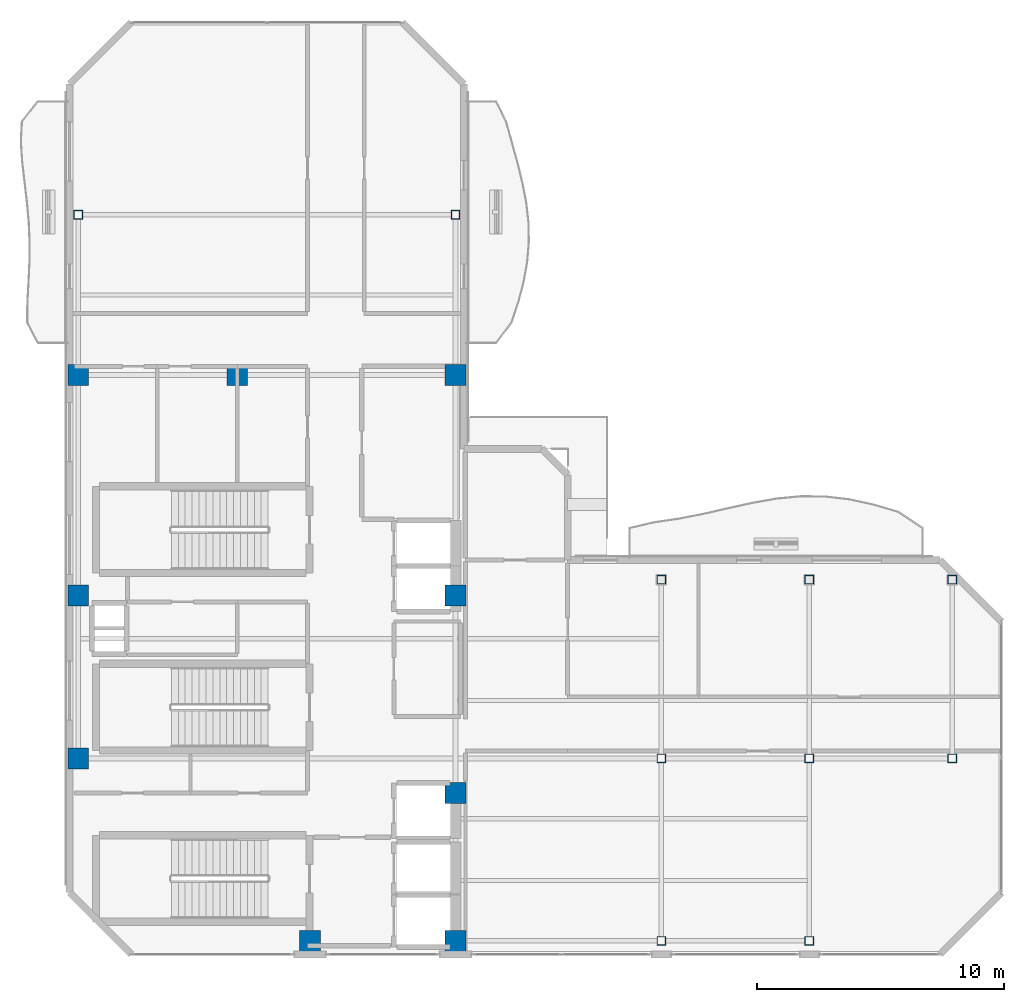
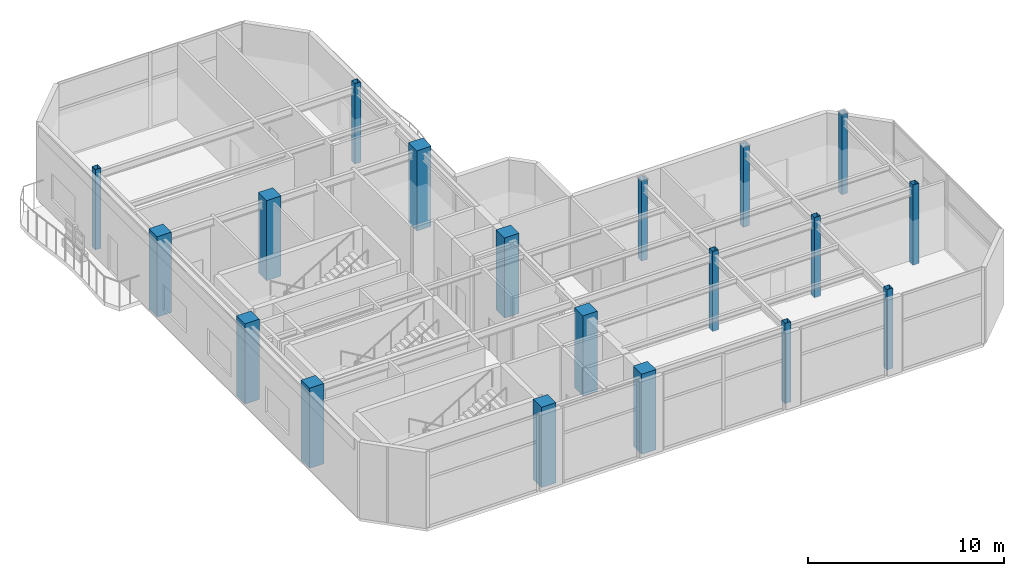
# One storey, part 1 of 16: 19 columns.
"""IFC4 building model written with IfcOpenShell, lengths in metres."""

from ifc_helpers import new_model, si_unit, direction, frame, origin, origin_2d, place, context, subcontext, project, spatial, rectangle, hollow_rectangle, extrude, material, material_profile, profile_set, type_object, element, save


model = new_model("IFC4")

# Units and contexts
model_context = context("Model", 3, precision=1e-05, world=origin(), true_north=direction((0.0, 1.0)))
body_context = subcontext(model_context, "Body", "Model", "MODEL_VIEW")
ifc_project = project(units=[si_unit("LENGTHUNIT", "METRE"), si_unit("AREAUNIT", "SQUARE_METRE"), si_unit("VOLUMEUNIT", "CUBIC_METRE"), si_unit("PLANEANGLEUNIT", "RADIAN"), si_unit("MASSUNIT", "GRAM", prefix="KILO")], contexts=[model_context])

# Site, building, storey
site_placement = place(None, origin())
site = spatial("IfcSite", under=ifc_project, at=site_placement, CompositionType="ELEMENT")
building_placement = place(site_placement, origin())
building = spatial("IfcBuilding", under=site, at=building_placement, Name="Mawjaban Terraces University", CompositionType="ELEMENT")
storey_placement = place(building_placement, frame((0.0, 0.0, 311.699951171875)))
storey = spatial("IfcBuildingStorey", under=building, at=storey_placement, Name="L76", CompositionType="ELEMENT", Elevation=311.699951171875)

# Columns
ifc_material_1 = material(Name="Concrete C50/60", Category="concrete")
ifc_material_profile_1 = material_profile(ifc_material_1, rectangle(XDim=0.85009765625, YDim=0.85009765625, at=origin_2d()), Name="RC850X850")
ifc_profile_set_1 = profile_set([ifc_material_profile_1], Name="Concrete C50/60")
column_type_1 = type_object("IfcColumnType", Name="Col_RC850X850", PredefinedType="COLUMN", material=ifc_profile_set_1)
for number, where, z_axis, x_axis, name in (
    (1, (31.75, 0.550048828125, 0.0), (0.0, 0.0, 1.0), (1.0, 0.0, 0.0), "L76 Column CC2"),
    (2, (37.64990234375, 0.550048828125, 0.0), (0.0, 0.0, 1.0), (1.0, 0.0, 0.0), "L76 Column CC3"),
    (3, (22.35009765625, 7.949951171875, 0.0), (0.0, 0.0, 1.0), (1.0, 0.0, 0.0), "L76 Column CC4"),
    (4, (37.64990234375, 6.550048828125, 0.0), (0.0, 0.0, 1.0), (1.0, 0.0, 0.0), "L76 Column CC5"),
    (5, (22.35009765625, 14.550048828125, 0.0), (0.0, 0.0, 1.0), (1.0, 0.0, 0.0), "L76 Column CC6"),
    (6, (37.64990234375, 14.550048828125, 0.0), (0.0, 0.0, 1.0), (1.0, 0.0, 0.0), "L76 Column CC7"),
    (7, (22.35009765625, 23.5, 0.0), (0.0, 0.0, 1.0), (1.0, 0.0, 0.0), "L76 Column CC8"),
    (8, (28.800048828125, 23.5, 0.0), (0.0, 0.0, 1.0), (1.0, 0.0, 0.0), "L76 Column CC9"),
    (9, (37.64990234375, 23.5, 0.0), (0.0, 0.0, 1.0), (1.0, 0.0, 0.0), "L76 Column CC10"),
):
    element("IfcColumn", number, at=place(storey_placement, frame(where, z_axis=z_axis, x_axis=x_axis)), inside=storey, type_object=column_type_1, Name=name, PredefinedType="COLUMN", context=body_context, shape_type="SweptSolid", body=[
        extrude(rectangle(XDim=0.85009765625, YDim=0.85009765625, at=origin_2d()), origin(), (0.0, 0.0, 1.0), 5.0),
    ])
ifc_material_2 = material(Name="Steel EN 10210-1 S355J2H", Category="steel")
ifc_material_profile_2 = material_profile(ifc_material_2, hollow_rectangle(XDim=0.35009765625, YDim=0.35009765625, WallThickness=0.01611328125, at=origin_2d()), Name="SHS350X350X16")
ifc_profile_set_2 = profile_set([ifc_material_profile_2], Name="Steel EN 10210-1 S355J2H")
column_type_2 = type_object("IfcColumnType", Name="Col_SHS350X350X16", PredefinedType="COLUMN", material=ifc_profile_set_2)
for number, where, z_axis, x_axis, name in (
    (10, (46.0, 0.550048828125, 0.0), (0.0, 0.0, 1.0), (1.0, 0.0, 0.0), "L76 Column TE-460-005"),
    (11, (46.0, 7.949951171875, 0.0), (0.0, 0.0, 1.0), (1.0, 0.0, 0.0), "L76 Column TE-460-080"),
    (12, (46.0, 15.199951171875, 0.0), (0.0, 0.0, 1.0), (1.0, 0.0, 0.0), "L76 Column TE-460-152"),
    (13, (52.0, 0.550048828125, 0.0), (0.0, 0.0, 1.0), (1.0, 0.0, 0.0), "L76 Column TE-520-005"),
    (14, (52.0, 7.949951171875, 0.0), (0.0, 0.0, 1.0), (1.0, 0.0, 0.0), "L76 Column TE-520-080"),
    (15, (52.0, 15.199951171875, 0.0), (0.0, 0.0, 1.0), (1.0, 0.0, 0.0), "L76 Column TE-520-152"),
    (16, (57.800048828125, 7.949951171875, 0.0), (0.0, 0.0, 1.0), (1.0, 0.0, 0.0), "L76 Column TE-578-080"),
    (17, (57.800048828125, 15.199951171875, 0.0), (0.0, 0.0, 1.0), (1.0, 0.0, 0.0), "L76 Column TE-578-152"),
    (18, (22.35009765625, 30.0, 0.0), (0.0, 0.0, 1.0), (1.0, 0.0, 0.0), "L76 Column TN-223-300"),
    (19, (37.64990234375, 30.0, 0.0), (0.0, 0.0, 1.0), (1.0, 0.0, 0.0), "L76 Column TN-376-300"),
):
    element("IfcColumn", number, at=place(storey_placement, frame(where, z_axis=z_axis, x_axis=x_axis)), inside=storey, type_object=column_type_2, Name=name, PredefinedType="COLUMN", context=body_context, shape_type="SweptSolid", body=[
        extrude(hollow_rectangle(XDim=0.35009765625, YDim=0.35009765625, WallThickness=0.01611328125, at=origin_2d()), origin(), (0.0, 0.0, 1.0), 5.0),
    ])

save(model, "model.ifc")
